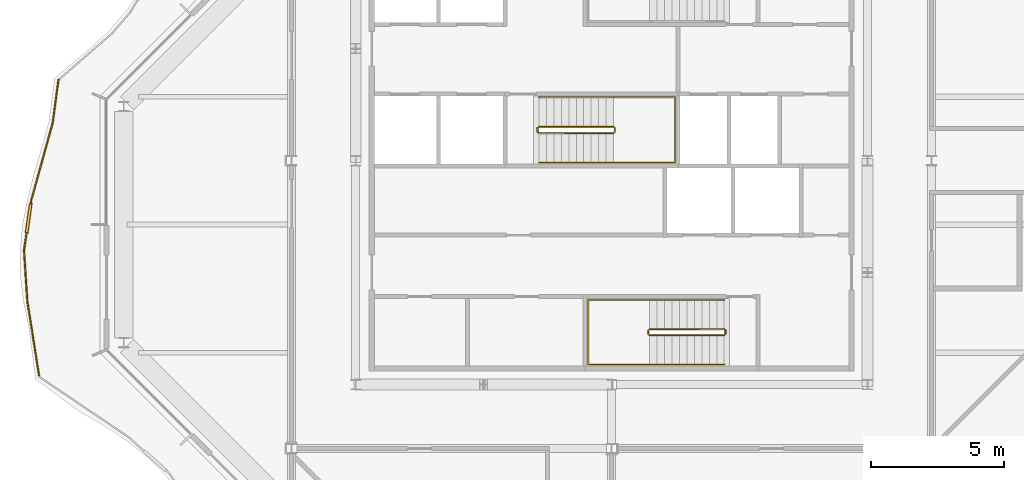
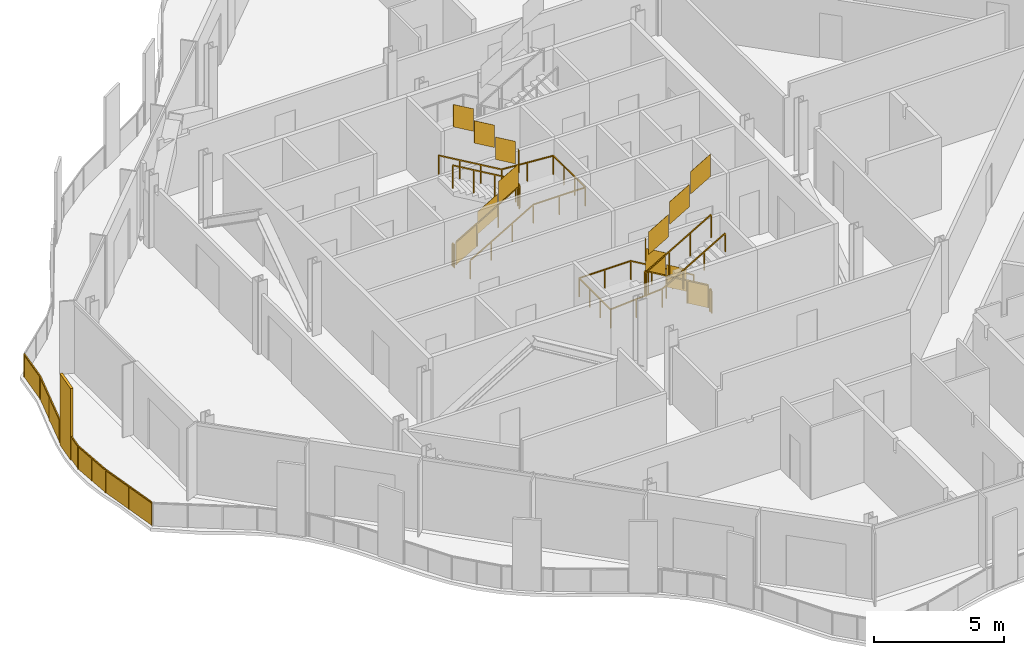
# One storey, part 14 of 17: 7 railings.
"""IFC4 building model written with IfcOpenShell, lengths in metres."""

from ifc_helpers import new_model, si_unit, direction, frame, origin, origin_2d, place, context, subcontext, project, spatial, polyline, rectangle, outline, extrude, material, type_object, element, save


model = new_model("IFC4")

# Units and contexts
model_context = context("Model", 3, precision=1e-05, world=origin(), true_north=direction((0.0, 1.0)))
body_context = subcontext(model_context, "Body", "Model", "MODEL_VIEW")
ifc_project = project(units=[si_unit("LENGTHUNIT", "METRE"), si_unit("AREAUNIT", "SQUARE_METRE"), si_unit("VOLUMEUNIT", "CUBIC_METRE"), si_unit("PLANEANGLEUNIT", "RADIAN"), si_unit("MASSUNIT", "GRAM", prefix="KILO")], contexts=[model_context])

# Site, building, storey
site_placement = place(None, origin())
site = spatial("IfcSite", under=ifc_project, at=site_placement, CompositionType="ELEMENT")
building_placement = place(site_placement, origin())
building = spatial("IfcBuilding", under=site, at=building_placement, Name="Cairn Pilgrim Tower", CompositionType="ELEMENT")
storey_placement = place(building_placement, frame((0.0, 0.0, 292.199951171875)))
storey = spatial("IfcBuildingStorey", under=building, at=storey_placement, Name="L75", CompositionType="ELEMENT", Elevation=292.199951171875)

# Railings
ifc_material_1 = material(Name="Bronze anodised aluminium rail, posts and fin screens with laminated glass infill", Category="aluminium")
railing_type_1 = type_object("IfcRailingType", Name="BALCONY GUARD WITH FIN SCREENS", PredefinedType="GUARDRAIL", material=ifc_material_1)
railing_1_placement = place(storey_placement, frame((-13.550048828125, 5.42431640625, 0.0)))
element("IfcRailing", 1, at=railing_1_placement, inside=storey, type_object=railing_type_1, Name="Balcony guard BGF-7 with fin screens", PredefinedType="GUARDRAIL", context=body_context, shape_type="SweptSolid", body=[
    extrude(rectangle(XDim=0.050048828125, YDim=0.050048828125, at=origin_2d()), frame((0.0, 0.0, 1.0751953125), z_axis=(-0.13323366951, -0.991084652948, 0.0), x_axis=(0.991084652948, -0.13323366951, 0.0)), (0.0, 0.0, 1.0), 1.62890625),
    extrude(rectangle(XDim=0.050048828125, YDim=0.050048828125, at=origin_2d()), frame((-0.217041015625, -1.614501953125, 1.0751953125), z_axis=(-0.267530141184, -0.963549492013, 0.0), x_axis=(0.963549492013, -0.267530141184, 0.0)), (0.0, 0.0, 1.0), 2.989501953125),
    extrude(rectangle(XDim=1.10009765625, YDim=0.110107421875, at=origin_2d()), frame((-1.116943359375, -5.18798828125, 0.0), z_axis=(0.0, 0.0, 1.0), x_axis=(-0.143045406958, -0.98971612675, 0.0)), (0.0, 0.0, 1.0), 3.35009765625),
    extrude(rectangle(XDim=0.050048828125, YDim=0.050048828125, at=origin_2d()), frame((-1.016845703125, -4.4951171875, 1.0751953125), z_axis=(-0.143045406958, -0.98971612675, 0.0), x_axis=(0.98971612675, -0.143045406958, 0.0)), (0.0, 0.0, 1.0), 0.150146484375),
    extrude(rectangle(XDim=0.050048828125, YDim=0.050048828125, at=origin_2d()), frame((-1.19580078125, -5.732421875, 1.0751953125), z_axis=(-0.143045406958, -0.98971612675, 0.0), x_axis=(0.98971612675, -0.143045406958, 0.0)), (0.0, 0.0, 1.0), 0.664794921875),
    extrude(rectangle(XDim=0.050048828125, YDim=0.050048828125, at=origin_2d()), frame((-1.290771484375, -6.390380859375, 1.0751953125), z_axis=(0.064584387711, -0.99791224908, 0.0), x_axis=(0.99791224908, 0.064584387711, 0.0)), (0.0, 0.0, 1.0), 1.9013671875),
    extrude(rectangle(XDim=0.050048828125, YDim=0.050048828125, at=origin_2d()), frame((-1.16796875, -8.287841796875, 1.0751953125), z_axis=(0.155424836376, -0.987847721178, 0.0), x_axis=(0.987847721178, 0.155424836376, 0.0)), (0.0, 0.0, 1.0), 2.821044921875),
    extrude(rectangle(XDim=0.050048828125, YDim=0.050048828125, at=origin_2d()), origin(), (0.0, 0.0, 1.0), 1.050048828125),
    extrude(rectangle(XDim=0.050048828125, YDim=0.050048828125, at=origin_2d()), frame((-0.217041015625, -1.614501953125, 0.0)), (0.0, 0.0, 1.0), 1.050048828125),
    extrude(rectangle(XDim=0.050048828125, YDim=0.050048828125, at=origin_2d()), frame((-0.616943359375, -3.0546875, 0.0)), (0.0, 0.0, 1.0), 1.050048828125),
    extrude(rectangle(XDim=0.050048828125, YDim=0.050048828125, at=origin_2d()), frame((-1.016845703125, -4.4951171875, 0.0)), (0.0, 0.0, 1.0), 1.050048828125),
    extrude(rectangle(XDim=0.050048828125, YDim=0.050048828125, at=origin_2d()), frame((-1.03466796875, -4.618896484375, 0.0)), (0.0, 0.0, 1.0), 1.050048828125),
    extrude(rectangle(XDim=0.050048828125, YDim=0.050048828125, at=origin_2d()), frame((-1.19921875, -5.75732421875, 0.0)), (0.0, 0.0, 1.0), 1.050048828125),
    extrude(rectangle(XDim=0.050048828125, YDim=0.050048828125, at=origin_2d()), frame((-1.290771484375, -6.390380859375, 0.0)), (0.0, 0.0, 1.0), 1.050048828125),
    extrude(rectangle(XDim=0.050048828125, YDim=0.050048828125, at=origin_2d()), frame((-1.2294921875, -7.339111328125, 0.0)), (0.0, 0.0, 1.0), 1.050048828125),
    extrude(rectangle(XDim=0.050048828125, YDim=0.050048828125, at=origin_2d()), frame((-1.16796875, -8.287841796875, 0.0)), (0.0, 0.0, 1.0), 1.050048828125),
    extrude(rectangle(XDim=0.050048828125, YDim=0.050048828125, at=origin_2d()), frame((-0.94873046875, -9.68115234375, 0.0)), (0.0, 0.0, 1.0), 1.050048828125),
    extrude(rectangle(XDim=0.050048828125, YDim=0.050048828125, at=origin_2d()), frame((-0.7294921875, -11.07470703125, 0.0)), (0.0, 0.0, 1.0), 1.050048828125),
    extrude(outline(polyline([(0.02490234375, 0.0), (1.60400390625, 0.0), (1.60400390625, 1.050048828125), (0.02490234375, 1.050048828125), (0.02490234375, 0.0)])), frame((0.005859375, -0.000732421875, 0.0), z_axis=(-0.991084652948, 0.13323366951, 0.0), x_axis=(-0.13323366951, -0.991084652948, 0.0)), (0.0, 0.0, 1.0), 0.011962890625),
    extrude(outline(polyline([(0.02490234375, 0.0), (1.4697265625, 0.0), (1.4697265625, 1.050048828125), (0.02490234375, 1.050048828125), (0.02490234375, 0.0)])), frame((-0.211181640625, -1.6162109375, 0.0), z_axis=(-0.963549492013, 0.267530141184, 0.0), x_axis=(-0.267530141184, -0.963549492013, 0.0)), (0.0, 0.0, 1.0), 0.011962890625),
    extrude(outline(polyline([(0.02490234375, 0.0), (1.4697265625, 0.0), (1.4697265625, 1.050048828125), (0.02490234375, 1.050048828125), (0.02490234375, 0.0)])), frame((-0.611083984375, -3.056396484375, 0.0), z_axis=(-0.963549492013, 0.267530141184, 0.0), x_axis=(-0.267530141184, -0.963549492013, 0.0)), (0.0, 0.0, 1.0), 0.011962890625),
    extrude(outline(polyline([(0.02490234375, 0.0), (0.10009765625, 0.0), (0.10009765625, 1.050048828125), (0.02490234375, 1.050048828125), (0.02490234375, 0.0)])), frame((-1.010986328125, -4.49609375, 0.0), z_axis=(-0.98971612675, 0.143045406958, 0.0), x_axis=(-0.143045406958, -0.98971612675, 0.0)), (0.0, 0.0, 1.0), 0.011962890625),
    extrude(outline(polyline([(0.02490234375, 0.0), (0.61474609375, 0.0), (0.61474609375, 1.050048828125), (0.02490234375, 1.050048828125), (0.02490234375, 0.0)])), frame((-1.193359375, -5.758056640625, 0.0), z_axis=(-0.98971612675, 0.143045406958, 0.0), x_axis=(-0.143045406958, -0.98971612675, 0.0)), (0.0, 0.0, 1.0), 0.011962890625),
    extrude(outline(polyline([(0.02490234375, 0.0), (0.92578125, 0.0), (0.92578125, 1.050048828125), (0.02490234375, 1.050048828125), (0.02490234375, 0.0)])), frame((-1.284912109375, -6.389892578125, 0.0), z_axis=(-0.99791224908, -0.064584387711, 0.0), x_axis=(0.064584387711, -0.99791224908, 0.0)), (0.0, 0.0, 1.0), 0.011962890625),
    extrude(outline(polyline([(0.02490234375, 0.0), (0.92578125, 0.0), (0.92578125, 1.050048828125), (0.02490234375, 1.050048828125), (0.02490234375, 0.0)])), frame((-1.223388671875, -7.338623046875, 0.0), z_axis=(-0.99791224908, -0.064584387711, 0.0), x_axis=(0.064584387711, -0.99791224908, 0.0)), (0.0, 0.0, 1.0), 0.011962890625),
    extrude(outline(polyline([(0.02490234375, 0.0), (1.385498046875, 0.0), (1.385498046875, 1.050048828125), (0.02490234375, 1.050048828125), (0.02490234375, 0.0)])), frame((-1.162109375, -8.286865234375, 0.0), z_axis=(-0.987847721178, -0.155424836376, 0.0), x_axis=(0.155424836376, -0.987847721178, 0.0)), (0.0, 0.0, 1.0), 0.011962890625),
    extrude(outline(polyline([(0.02490234375, 0.0), (1.385498046875, 0.0), (1.385498046875, 1.050048828125), (0.02490234375, 1.050048828125), (0.02490234375, 0.0)])), frame((-0.94287109375, -9.680419921875, 0.0), z_axis=(-0.987847721178, -0.155424836376, 0.0), x_axis=(0.155424836376, -0.987847721178, 0.0)), (0.0, 0.0, 1.0), 0.011962890625),
])
ifc_material_2 = material(Name="Painted steel", Category="steel")
railing_type_2 = type_object("IfcRailingType", Name="STAIR GUARD 1100", PredefinedType="GUARDRAIL", material=ifc_material_2)
railing_2_placement = place(storey_placement, frame((11.425048828125, -3.925048828125, 0.16357421875)))
element("IfcRailing", 2, at=railing_2_placement, inside=storey, type_object=railing_type_2, Name="L75 ST-A stair guard 1", PredefinedType="GUARDRAIL", context=body_context, shape_type="SweptSolid", body=[
    extrude(rectangle(XDim=0.048095703125, YDim=0.048095703125, at=origin_2d()), frame((0.0, 0.0, 1.076171875), z_axis=(-0.863360870873, 0.0, 0.504586966384), x_axis=(0.0, -1.0, 0.0)), (0.0, 0.0, 1.0), 3.2431640625),
    extrude(rectangle(XDim=0.048095703125, YDim=0.048095703125, at=origin_2d()), frame((-2.800048828125, 0.0, 2.71240234375), z_axis=(-0.707106781187, -0.707106781187, 0.0), x_axis=(0.707106781187, -0.707106781187, 0.0)), (0.0, 0.0, 1.0), 0.07080078125),
    extrude(rectangle(XDim=0.048095703125, YDim=0.048095703125, at=origin_2d()), frame((-2.85009765625, -0.050048828125, 2.71240234375), z_axis=(0.0, -1.0, 0.0), x_axis=(1.0, 0.0, 0.0)), (0.0, 0.0, 1.0), 0.125),
    extrude(rectangle(XDim=0.048095703125, YDim=0.048095703125, at=origin_2d()), frame((-2.85009765625, -0.175048828125, 2.71240234375), z_axis=(0.280916556609, -0.279546231943, 0.91811752648), x_axis=(0.705375805398, 0.708833529934, 0.0)), (0.0, 0.0, 1.0), 0.17822265625),
    extrude(rectangle(XDim=0.048095703125, YDim=0.048095703125, at=origin_2d()), frame((-2.800048828125, -0.224853515625, 2.8759765625), z_axis=(0.863360870873, 0.0, 0.504586966384), x_axis=(0.0, 1.0, 0.0)), (0.0, 0.0, 1.0), 3.2431640625),
    extrude(rectangle(XDim=0.0419921875, YDim=0.0419921875, at=origin_2d()), origin(), (0.0, 0.0, 1.0), 1.052001953125),
    extrude(rectangle(XDim=0.0419921875, YDim=0.0419921875, at=origin_2d()), frame((-0.933349609375, 0.0, 0.54541015625)), (0.0, 0.0, 1.0), 1.052001953125),
    extrude(rectangle(XDim=0.0419921875, YDim=0.0419921875, at=origin_2d()), frame((-1.86669921875, 0.0, 1.091064453125)), (0.0, 0.0, 1.0), 1.052001953125),
    extrude(rectangle(XDim=0.0419921875, YDim=0.0419921875, at=origin_2d()), frame((-2.800048828125, 0.0, 1.636474609375)), (0.0, 0.0, 1.0), 1.052001953125),
    extrude(rectangle(XDim=0.0419921875, YDim=0.0419921875, at=origin_2d()), frame((-2.85009765625, -0.050048828125, 1.636474609375)), (0.0, 0.0, 1.0), 1.052001953125),
    extrude(rectangle(XDim=0.0419921875, YDim=0.0419921875, at=origin_2d()), frame((-2.85009765625, -0.175048828125, 1.636474609375)), (0.0, 0.0, 1.0), 1.052001953125),
    extrude(rectangle(XDim=0.0419921875, YDim=0.0419921875, at=origin_2d()), frame((-2.800048828125, -0.224853515625, 1.800048828125)), (0.0, 0.0, 1.0), 1.052001953125),
    extrude(rectangle(XDim=0.0419921875, YDim=0.0419921875, at=origin_2d()), frame((-1.86669921875, -0.224853515625, 2.345458984375)), (0.0, 0.0, 1.0), 1.052001953125),
    extrude(rectangle(XDim=0.0419921875, YDim=0.0419921875, at=origin_2d()), frame((-0.933349609375, -0.224853515625, 2.89111328125)), (0.0, 0.0, 1.0), 1.052001953125),
    extrude(rectangle(XDim=0.0419921875, YDim=0.0419921875, at=origin_2d()), frame((0.0, -0.224853515625, 3.4365234375)), (0.0, 0.0, 1.0), 1.052001953125),
    extrude(outline(polyline([(0.02099609375, 0.01220703125), (0.912353515625, 0.533203125), (0.912353515625, 1.585205078125), (0.02099609375, 1.064208984375), (0.02099609375, 0.01220703125)])), frame((0.0, -0.005859375, 0.0), z_axis=(0.0, 1.0, 0.0), x_axis=(-1.0, 0.0, 0.0)), (0.0, 0.0, 1.0), 0.011962890625),
    extrude(outline(polyline([(0.02099609375, 0.557861328125), (0.912353515625, 1.07861328125), (0.912353515625, 2.130615234375), (0.02099609375, 1.60986328125), (0.02099609375, 0.557861328125)])), frame((-0.933349609375, -0.005859375, 0.54541015625), z_axis=(0.0, 1.0, 0.0), x_axis=(-1.0, 0.0, 0.0)), (0.0, 0.0, 1.0), 0.011962890625),
    extrude(outline(polyline([(0.02099609375, 1.103271484375), (0.912353515625, 1.624267578125), (0.912353515625, 2.67626953125), (0.02099609375, 2.1552734375), (0.02099609375, 1.103271484375)])), frame((-1.86669921875, -0.005859375, 1.091064453125), z_axis=(0.0, 1.0, 0.0), x_axis=(-1.0, 0.0, 0.0)), (0.0, 0.0, 1.0), 0.011962890625),
    extrude(outline(polyline([(0.02099609375, 1.636474609375), (0.10400390625, 1.636474609375), (0.10400390625, 2.6884765625), (0.02099609375, 2.6884765625), (0.02099609375, 1.636474609375)])), frame((-2.84423828125, -0.050048828125, 1.636474609375), z_axis=(-1.0, 0.0, 0.0), x_axis=(0.0, -1.0, 0.0)), (0.0, 0.0, 1.0), 0.011962890625),
    extrude(outline(polyline([(0.02099609375, 1.812255859375), (0.912353515625, 2.333251953125), (0.912353515625, 3.38525390625), (0.02099609375, 2.8642578125), (0.02099609375, 1.812255859375)])), frame((-2.800048828125, -0.21875, 1.800048828125), z_axis=(0.0, -1.0, 0.0), x_axis=(1.0, 0.0, 0.0)), (0.0, 0.0, 1.0), 0.011962890625),
    extrude(outline(polyline([(0.02099609375, 2.35791015625), (0.912353515625, 2.878662109375), (0.912353515625, 3.9306640625), (0.02099609375, 3.409912109375), (0.02099609375, 2.35791015625)])), frame((-1.86669921875, -0.21875, 2.345458984375), z_axis=(0.0, -1.0, 0.0), x_axis=(1.0, 0.0, 0.0)), (0.0, 0.0, 1.0), 0.011962890625),
    extrude(outline(polyline([(0.02099609375, 2.9033203125), (0.912353515625, 3.42431640625), (0.912353515625, 4.476318359375), (0.02099609375, 3.955322265625), (0.02099609375, 2.9033203125)])), frame((-0.933349609375, -0.21875, 2.89111328125), z_axis=(0.0, -1.0, 0.0), x_axis=(1.0, 0.0, 0.0)), (0.0, 0.0, 1.0), 0.011962890625),
])
railing_3_placement = place(storey_placement, frame((11.47509765625, -3.97509765625, 0.0)))
element("IfcRailing", 3, at=railing_3_placement, inside=storey, type_object=railing_type_2, Name="L75 ST-A stair guard 2", PredefinedType="GUARDRAIL", context=body_context, shape_type="SweptSolid", body=[
    extrude(rectangle(XDim=0.048095703125, YDim=0.048095703125, at=origin_2d()), frame((0.0, 0.0, 1.076171875), z_axis=(0.0, -1.0, 0.0), x_axis=(1.0, 0.0, 0.0)), (0.0, 0.0, 1.0), 0.125),
    extrude(rectangle(XDim=0.0419921875, YDim=0.0419921875, at=origin_2d()), origin(), (0.0, 0.0, 1.0), 1.052001953125),
    extrude(rectangle(XDim=0.0419921875, YDim=0.0419921875, at=origin_2d()), frame((0.0, -0.125, 0.0)), (0.0, 0.0, 1.0), 1.052001953125),
    extrude(outline(polyline([(0.02099609375, 0.0), (0.10400390625, 0.0), (0.10400390625, 1.052001953125), (0.02099609375, 1.052001953125), (0.02099609375, 0.0)])), frame((0.005859375, 0.0, 0.0), z_axis=(-1.0, 0.0, 0.0), x_axis=(0.0, -1.0, 0.0)), (0.0, 0.0, 1.0), 0.011962890625),
])
railing_4_placement = place(storey_placement, frame((4.47509765625, 3.425048828125, 0.16357421875)))
element("IfcRailing", 4, at=railing_4_placement, inside=storey, type_object=railing_type_2, Name="L75 ST-B stair guard 1", PredefinedType="GUARDRAIL", context=body_context, shape_type="SweptSolid", body=[
    extrude(rectangle(XDim=0.048095703125, YDim=0.048095703125, at=origin_2d()), frame((0.0, 0.0, 1.076171875), z_axis=(0.863341702679, 0.0, 0.504619762213), x_axis=(0.0, 1.0, 0.0)), (0.0, 0.0, 1.0), 3.242919921875),
    extrude(rectangle(XDim=0.048095703125, YDim=0.048095703125, at=origin_2d()), frame((2.7998046875, 0.0, 2.71240234375), z_axis=(0.707106781187, 0.707106781187, 0.0), x_axis=(-0.707106781187, 0.707106781187, 0.0)), (0.0, 0.0, 1.0), 0.07080078125),
    extrude(rectangle(XDim=0.048095703125, YDim=0.048095703125, at=origin_2d()), frame((2.849853515625, 0.050048828125, 2.71240234375), z_axis=(0.0, 1.0, 0.0), x_axis=(-1.0, 0.0, 0.0)), (0.0, 0.0, 1.0), 0.14990234375),
    extrude(rectangle(XDim=0.048095703125, YDim=0.048095703125, at=origin_2d()), frame((2.849853515625, 0.199951171875, 2.71240234375), z_axis=(-0.280808744504, 0.280808744504, 0.917765164963), x_axis=(-0.707106781187, -0.707106781187, 0.0)), (0.0, 0.0, 1.0), 0.17822265625),
    extrude(rectangle(XDim=0.048095703125, YDim=0.048095703125, at=origin_2d()), frame((2.7998046875, 0.25, 2.8759765625), z_axis=(-0.863341702679, 0.0, 0.504619762213), x_axis=(0.0, -1.0, 0.0)), (0.0, 0.0, 1.0), 3.242919921875),
    extrude(rectangle(XDim=0.0419921875, YDim=0.0419921875, at=origin_2d()), origin(), (0.0, 0.0, 1.0), 1.052001953125),
    extrude(rectangle(XDim=0.0419921875, YDim=0.0419921875, at=origin_2d()), frame((0.933349609375, 0.0, 0.54541015625)), (0.0, 0.0, 1.0), 1.052001953125),
    extrude(rectangle(XDim=0.0419921875, YDim=0.0419921875, at=origin_2d()), frame((1.866455078125, 0.0, 1.091064453125)), (0.0, 0.0, 1.0), 1.052001953125),
    extrude(rectangle(XDim=0.0419921875, YDim=0.0419921875, at=origin_2d()), frame((2.7998046875, 0.0, 1.636474609375)), (0.0, 0.0, 1.0), 1.052001953125),
    extrude(rectangle(XDim=0.0419921875, YDim=0.0419921875, at=origin_2d()), frame((2.849853515625, 0.050048828125, 1.636474609375)), (0.0, 0.0, 1.0), 1.052001953125),
    extrude(rectangle(XDim=0.0419921875, YDim=0.0419921875, at=origin_2d()), frame((2.849853515625, 0.199951171875, 1.636474609375)), (0.0, 0.0, 1.0), 1.052001953125),
    extrude(rectangle(XDim=0.0419921875, YDim=0.0419921875, at=origin_2d()), frame((2.7998046875, 0.25, 1.800048828125)), (0.0, 0.0, 1.0), 1.052001953125),
    extrude(rectangle(XDim=0.0419921875, YDim=0.0419921875, at=origin_2d()), frame((1.866455078125, 0.25, 2.345458984375)), (0.0, 0.0, 1.0), 1.052001953125),
    extrude(rectangle(XDim=0.0419921875, YDim=0.0419921875, at=origin_2d()), frame((0.933349609375, 0.25, 2.89111328125)), (0.0, 0.0, 1.0), 1.052001953125),
    extrude(rectangle(XDim=0.0419921875, YDim=0.0419921875, at=origin_2d()), frame((0.0, 0.25, 3.4365234375)), (0.0, 0.0, 1.0), 1.052001953125),
    extrude(outline(polyline([(0.02099609375, 0.01220703125), (0.912353515625, 0.533203125), (0.912353515625, 1.585205078125), (0.02099609375, 1.064208984375), (0.02099609375, 0.01220703125)])), frame((0.0, 0.005859375, 0.0), z_axis=(0.0, -1.0, 0.0), x_axis=(1.0, 0.0, 0.0)), (0.0, 0.0, 1.0), 0.011962890625),
    extrude(outline(polyline([(0.02099609375, 0.557861328125), (0.912353515625, 1.07861328125), (0.912353515625, 2.130615234375), (0.02099609375, 1.60986328125), (0.02099609375, 0.557861328125)])), frame((0.933349609375, 0.005859375, 0.54541015625), z_axis=(0.0, -1.0, 0.0), x_axis=(1.0, 0.0, 0.0)), (0.0, 0.0, 1.0), 0.011962890625),
    extrude(outline(polyline([(0.02099609375, 1.103271484375), (0.912353515625, 1.624267578125), (0.912353515625, 2.67626953125), (0.02099609375, 2.1552734375), (0.02099609375, 1.103271484375)])), frame((1.866455078125, 0.005859375, 1.091064453125), z_axis=(0.0, -1.0, 0.0), x_axis=(1.0, 0.0, 0.0)), (0.0, 0.0, 1.0), 0.011962890625),
    extrude(outline(polyline([(0.02099609375, 1.636474609375), (0.12890625, 1.636474609375), (0.12890625, 2.6884765625), (0.02099609375, 2.6884765625), (0.02099609375, 1.636474609375)])), frame((2.84375, 0.050048828125, 1.636474609375), z_axis=(1.0, 0.0, 0.0), x_axis=(0.0, 1.0, 0.0)), (0.0, 0.0, 1.0), 0.011962890625),
    extrude(outline(polyline([(0.02099609375, 1.812255859375), (0.912353515625, 2.333251953125), (0.912353515625, 3.38525390625), (0.02099609375, 2.8642578125), (0.02099609375, 1.812255859375)])), frame((2.7998046875, 0.244140625, 1.800048828125), z_axis=(0.0, 1.0, 0.0), x_axis=(-1.0, 0.0, 0.0)), (0.0, 0.0, 1.0), 0.011962890625),
    extrude(outline(polyline([(0.02099609375, 2.35791015625), (0.912353515625, 2.878662109375), (0.912353515625, 3.9306640625), (0.02099609375, 3.409912109375), (0.02099609375, 2.35791015625)])), frame((1.866455078125, 0.244140625, 2.345458984375), z_axis=(0.0, 1.0, 0.0), x_axis=(-1.0, 0.0, 0.0)), (0.0, 0.0, 1.0), 0.011962890625),
    extrude(outline(polyline([(0.02099609375, 2.9033203125), (0.912353515625, 3.42431640625), (0.912353515625, 4.476318359375), (0.02099609375, 3.955322265625), (0.02099609375, 2.9033203125)])), frame((0.933349609375, 0.244140625, 2.89111328125), z_axis=(0.0, 1.0, 0.0), x_axis=(-1.0, 0.0, 0.0)), (0.0, 0.0, 1.0), 0.011962890625),
])
railing_5_placement = place(storey_placement, frame((4.425048828125, 3.47509765625, 0.0)))
element("IfcRailing", 5, at=railing_5_placement, inside=storey, type_object=railing_type_2, Name="L75 ST-B stair guard 2", PredefinedType="GUARDRAIL", context=body_context, shape_type="SweptSolid", body=[
    extrude(rectangle(XDim=0.048095703125, YDim=0.048095703125, at=origin_2d()), frame((0.0, 0.0, 1.076171875), z_axis=(0.0, 1.0, 0.0), x_axis=(-1.0, 0.0, 0.0)), (0.0, 0.0, 1.0), 0.14990234375),
    extrude(rectangle(XDim=0.0419921875, YDim=0.0419921875, at=origin_2d()), origin(), (0.0, 0.0, 1.0), 1.052001953125),
    extrude(rectangle(XDim=0.0419921875, YDim=0.0419921875, at=origin_2d()), frame((0.0, 0.14990234375, 0.0)), (0.0, 0.0, 1.0), 1.052001953125),
    extrude(outline(polyline([(0.02099609375, 0.0), (0.12890625, 0.0), (0.12890625, 1.052001953125), (0.02099609375, 1.052001953125), (0.02099609375, 0.0)])), frame((-0.005859375, 0.0, 0.0), z_axis=(1.0, 0.0, 0.0), x_axis=(0.0, 1.0, 0.0)), (0.0, 0.0, 1.0), 0.011962890625),
])
railing_type_3 = type_object("IfcRailingType", Name="STAIR HANDRAIL 900", PredefinedType="HANDRAIL", material=ifc_material_2)
railing_6_placement = place(storey_placement, frame((11.425048828125, -2.824951171875, 0.16357421875)))
element("IfcRailing", 6, at=railing_6_placement, inside=storey, type_object=railing_type_3, Name="L75 ST-A stair handrail 1", PredefinedType="HANDRAIL", context=body_context, shape_type="SweptSolid", body=[
    extrude(rectangle(XDim=0.048095703125, YDim=0.048095703125, at=origin_2d()), frame((0.0, 0.0, 0.8759765625), z_axis=(-0.863360870873, 0.0, 0.504586966384), x_axis=(0.0, -1.0, 0.0)), (0.0, 0.0, 1.0), 3.2431640625),
    extrude(rectangle(XDim=0.048095703125, YDim=0.048095703125, at=origin_2d()), frame((-2.800048828125, 0.0, 2.51220703125), z_axis=(-1.0, 0.0, 0.0), x_axis=(0.0, -1.0, 0.0)), (0.0, 0.0, 1.0), 2.300048828125),
    extrude(rectangle(XDim=0.048095703125, YDim=0.048095703125, at=origin_2d()), frame((-5.10009765625, 0.0, 2.51220703125), z_axis=(0.0, -1.0, 0.0), x_axis=(1.0, 0.0, 0.0)), (0.0, 0.0, 1.0), 2.425048828125),
    extrude(rectangle(XDim=0.048095703125, YDim=0.048095703125, at=origin_2d()), frame((-5.10009765625, -2.425048828125, 2.51220703125), z_axis=(0.997480687736, 0.0, 0.070938548008), x_axis=(0.0, 1.0, 0.0)), (0.0, 0.0, 1.0), 2.305908203125),
    extrude(rectangle(XDim=0.048095703125, YDim=0.048095703125, at=origin_2d()), frame((-2.800048828125, -2.425048828125, 2.67578125), z_axis=(0.863360870873, 0.0, 0.504586966384), x_axis=(0.0, 1.0, 0.0)), (0.0, 0.0, 1.0), 3.2431640625),
    extrude(rectangle(XDim=0.0419921875, YDim=0.0419921875, at=origin_2d()), origin(), (0.0, 0.0, 1.0), 0.851806640625),
    extrude(rectangle(XDim=0.0419921875, YDim=0.0419921875, at=origin_2d()), frame((-0.933349609375, 0.0, 0.54541015625)), (0.0, 0.0, 1.0), 0.851806640625),
    extrude(rectangle(XDim=0.0419921875, YDim=0.0419921875, at=origin_2d()), frame((-1.86669921875, 0.0, 1.091064453125)), (0.0, 0.0, 1.0), 0.851806640625),
    extrude(rectangle(XDim=0.0419921875, YDim=0.0419921875, at=origin_2d()), frame((-2.800048828125, 0.0, 1.636474609375)), (0.0, 0.0, 1.0), 0.851806640625),
    extrude(rectangle(XDim=0.0419921875, YDim=0.0419921875, at=origin_2d()), frame((-3.9501953125, 0.0, 1.636474609375)), (0.0, 0.0, 1.0), 0.851806640625),
    extrude(rectangle(XDim=0.0419921875, YDim=0.0419921875, at=origin_2d()), frame((-5.10009765625, 0.0, 1.636474609375)), (0.0, 0.0, 1.0), 0.851806640625),
    extrude(rectangle(XDim=0.0419921875, YDim=0.0419921875, at=origin_2d()), frame((-5.10009765625, -0.808349609375, 1.636474609375)), (0.0, 0.0, 1.0), 0.851806640625),
    extrude(rectangle(XDim=0.0419921875, YDim=0.0419921875, at=origin_2d()), frame((-5.10009765625, -1.61669921875, 1.636474609375)), (0.0, 0.0, 1.0), 0.851806640625),
    extrude(rectangle(XDim=0.0419921875, YDim=0.0419921875, at=origin_2d()), frame((-5.10009765625, -2.425048828125, 1.636474609375)), (0.0, 0.0, 1.0), 0.851806640625),
    extrude(rectangle(XDim=0.0419921875, YDim=0.0419921875, at=origin_2d()), frame((-3.9501953125, -2.425048828125, 1.71826171875)), (0.0, 0.0, 1.0), 0.851806640625),
    extrude(rectangle(XDim=0.0419921875, YDim=0.0419921875, at=origin_2d()), frame((-2.800048828125, -2.425048828125, 1.800048828125)), (0.0, 0.0, 1.0), 0.851806640625),
    extrude(rectangle(XDim=0.0419921875, YDim=0.0419921875, at=origin_2d()), frame((-1.86669921875, -2.425048828125, 2.345458984375)), (0.0, 0.0, 1.0), 0.851806640625),
    extrude(rectangle(XDim=0.0419921875, YDim=0.0419921875, at=origin_2d()), frame((-0.933349609375, -2.425048828125, 2.89111328125)), (0.0, 0.0, 1.0), 0.851806640625),
    extrude(rectangle(XDim=0.0419921875, YDim=0.0419921875, at=origin_2d()), frame((0.0, -2.425048828125, 3.4365234375)), (0.0, 0.0, 1.0), 0.851806640625),
])
railing_7_placement = place(storey_placement, frame((4.47509765625, 2.324951171875, 0.16357421875)))
element("IfcRailing", 7, at=railing_7_placement, inside=storey, type_object=railing_type_3, Name="L75 ST-B stair handrail 1", PredefinedType="HANDRAIL", context=body_context, shape_type="SweptSolid", body=[
    extrude(rectangle(XDim=0.048095703125, YDim=0.048095703125, at=origin_2d()), frame((0.0, 0.0, 0.8759765625), z_axis=(0.863341702679, 0.0, 0.504619762213), x_axis=(0.0, 1.0, 0.0)), (0.0, 0.0, 1.0), 3.242919921875),
    extrude(rectangle(XDim=0.048095703125, YDim=0.048095703125, at=origin_2d()), frame((2.7998046875, 0.0, 2.51220703125), z_axis=(1.0, 0.0, 0.0), x_axis=(0.0, 1.0, 0.0)), (0.0, 0.0, 1.0), 2.300048828125),
    extrude(rectangle(XDim=0.048095703125, YDim=0.048095703125, at=origin_2d()), frame((5.099853515625, 0.0, 2.51220703125), z_axis=(0.0, 1.0, 0.0), x_axis=(-1.0, 0.0, 0.0)), (0.0, 0.0, 1.0), 2.449951171875),
    extrude(rectangle(XDim=0.048095703125, YDim=0.048095703125, at=origin_2d()), frame((5.099853515625, 2.449951171875, 2.51220703125), z_axis=(-0.997480687736, 0.0, 0.070938548008), x_axis=(0.0, -1.0, 0.0)), (0.0, 0.0, 1.0), 2.305908203125),
    extrude(rectangle(XDim=0.048095703125, YDim=0.048095703125, at=origin_2d()), frame((2.7998046875, 2.449951171875, 2.67578125), z_axis=(-0.863341702679, 0.0, 0.504619762213), x_axis=(0.0, -1.0, 0.0)), (0.0, 0.0, 1.0), 3.242919921875),
    extrude(rectangle(XDim=0.0419921875, YDim=0.0419921875, at=origin_2d()), origin(), (0.0, 0.0, 1.0), 0.851806640625),
    extrude(rectangle(XDim=0.0419921875, YDim=0.0419921875, at=origin_2d()), frame((0.933349609375, 0.0, 0.54541015625)), (0.0, 0.0, 1.0), 0.851806640625),
    extrude(rectangle(XDim=0.0419921875, YDim=0.0419921875, at=origin_2d()), frame((1.866455078125, 0.0, 1.091064453125)), (0.0, 0.0, 1.0), 0.851806640625),
    extrude(rectangle(XDim=0.0419921875, YDim=0.0419921875, at=origin_2d()), frame((2.7998046875, 0.0, 1.636474609375)), (0.0, 0.0, 1.0), 0.851806640625),
    extrude(rectangle(XDim=0.0419921875, YDim=0.0419921875, at=origin_2d()), frame((3.94970703125, 0.0, 1.636474609375)), (0.0, 0.0, 1.0), 0.851806640625),
    extrude(rectangle(XDim=0.0419921875, YDim=0.0419921875, at=origin_2d()), frame((5.099853515625, 0.0, 1.636474609375)), (0.0, 0.0, 1.0), 0.851806640625),
    extrude(rectangle(XDim=0.0419921875, YDim=0.0419921875, at=origin_2d()), frame((5.099853515625, 0.816650390625, 1.636474609375)), (0.0, 0.0, 1.0), 0.851806640625),
    extrude(rectangle(XDim=0.0419921875, YDim=0.0419921875, at=origin_2d()), frame((5.099853515625, 1.63330078125, 1.636474609375)), (0.0, 0.0, 1.0), 0.851806640625),
    extrude(rectangle(XDim=0.0419921875, YDim=0.0419921875, at=origin_2d()), frame((5.099853515625, 2.449951171875, 1.636474609375)), (0.0, 0.0, 1.0), 0.851806640625),
    extrude(rectangle(XDim=0.0419921875, YDim=0.0419921875, at=origin_2d()), frame((3.94970703125, 2.449951171875, 1.71826171875)), (0.0, 0.0, 1.0), 0.851806640625),
    extrude(rectangle(XDim=0.0419921875, YDim=0.0419921875, at=origin_2d()), frame((2.7998046875, 2.449951171875, 1.800048828125)), (0.0, 0.0, 1.0), 0.851806640625),
    extrude(rectangle(XDim=0.0419921875, YDim=0.0419921875, at=origin_2d()), frame((1.866455078125, 2.449951171875, 2.345458984375)), (0.0, 0.0, 1.0), 0.851806640625),
    extrude(rectangle(XDim=0.0419921875, YDim=0.0419921875, at=origin_2d()), frame((0.933349609375, 2.449951171875, 2.89111328125)), (0.0, 0.0, 1.0), 0.851806640625),
    extrude(rectangle(XDim=0.0419921875, YDim=0.0419921875, at=origin_2d()), frame((0.0, 2.449951171875, 3.4365234375)), (0.0, 0.0, 1.0), 0.851806640625),
])

save(model, "model.ifc")
